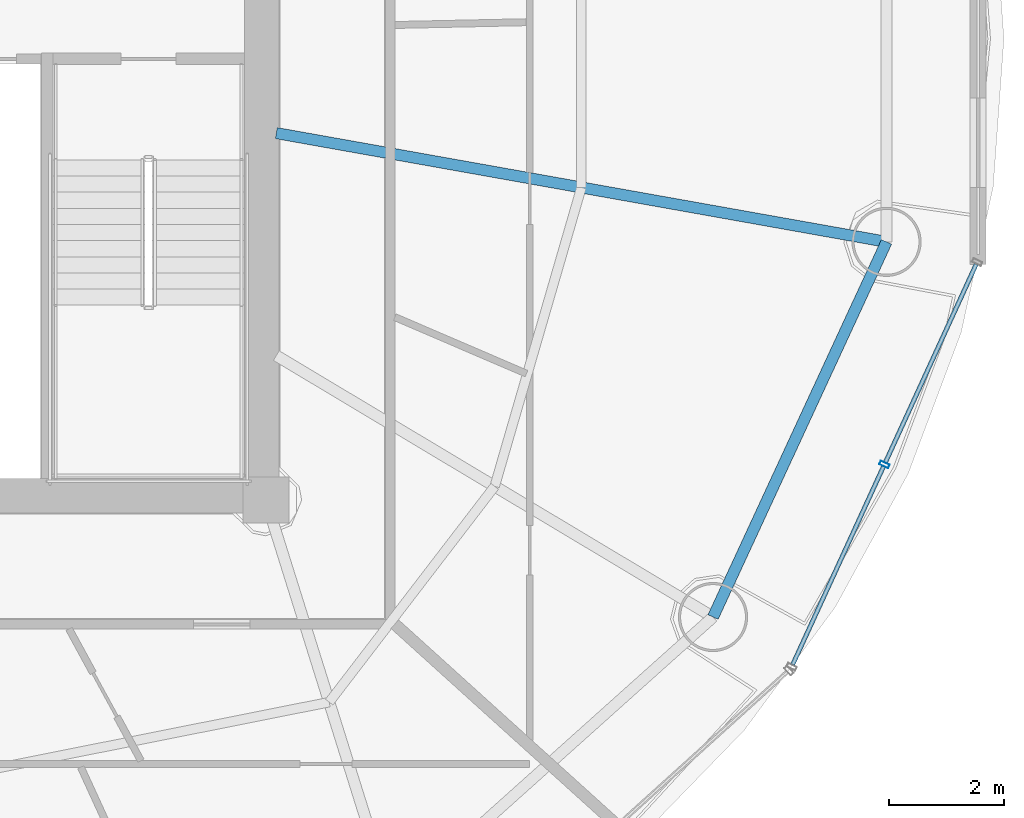
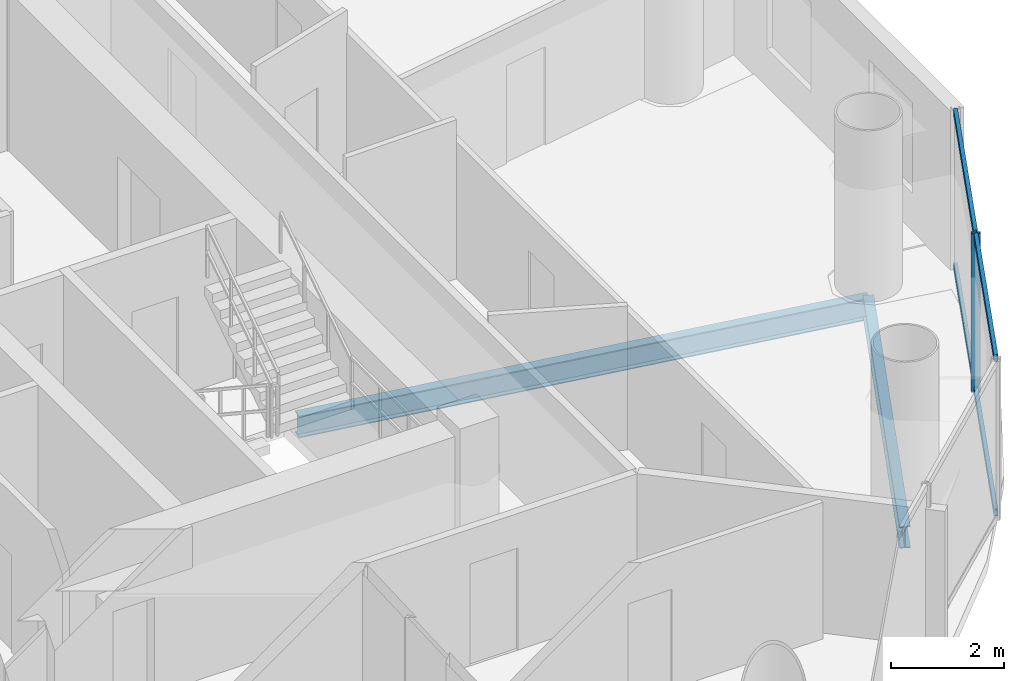
# One storey, part 11 of 26: 5 members, 2 beams, 1 element without a shape of its own.
"""IFC4 building model written with IfcOpenShell, lengths in metres."""

from ifc_helpers import new_model, si_unit, direction, frame, origin, origin_2d, place, context, subcontext, project, spatial, hollow_rectangle, i_section, extrude, source, transform, mapped, material, material_profile, profile_set, type_object, element, aggregate, save


model = new_model("IFC4")

# Units and contexts
model_context = context("Model", 3, precision=1e-05, world=origin(), true_north=direction((-0.2419218956, 0.970295726276)))
body_context = subcontext(model_context, "Body", "Model", "MODEL_VIEW")
ifc_project = project(units=[si_unit("LENGTHUNIT", "METRE"), si_unit("AREAUNIT", "SQUARE_METRE"), si_unit("VOLUMEUNIT", "CUBIC_METRE"), si_unit("PLANEANGLEUNIT", "RADIAN"), si_unit("MASSUNIT", "GRAM", prefix="KILO")], contexts=[model_context])

# Site, building, storey
site_placement = place(None, origin())
site = spatial("IfcSite", under=ifc_project, at=site_placement, CompositionType="ELEMENT")
building_placement = place(site_placement, origin())
building = spatial("IfcBuilding", under=site, at=building_placement, Name="Cobrevalo Terracotta Tower", CompositionType="ELEMENT")
storey_placement = place(building_placement, frame((0.0, 0.0, 202.300048828125)))
storey = spatial("IfcBuildingStorey", under=building, at=storey_placement, Name="L53", CompositionType="ELEMENT", Elevation=202.300048828125)

# Beams
ifc_material_1 = material(Name="Steel S355", Category="steel")
ifc_material_profile_1 = material_profile(ifc_material_1, i_section(OverallWidth=0.194091796875, OverallDepth=0.468994140625, WebThickness=0.011474609375, FlangeThickness=0.0205078125, at=origin_2d()), Name="W 460x106")
ifc_profile_set_1 = profile_set([ifc_material_profile_1], Name="Steel S355")
beam_type_1 = type_object("IfcBeamType", Name="Structural Beam W 460x106 (Steel S355)", PredefinedType="BEAM", material=ifc_profile_set_1)
beam_1_placement = place(storey_placement, frame((57.762939453125, 23.278564453125, -0.49951171875), z_axis=(-0.984493198547, 0.175422752274, 0.0), x_axis=(-0.175422752274, -0.984493198547, 0.0)))
element("IfcBeam", 1, at=beam_1_placement, inside=storey, type_object=beam_type_1, Name="L53 radial floor girder 16", PredefinedType="BEAM", context=body_context, shape_type="SweptSolid", body=[
    extrude(i_section(OverallWidth=0.194091796875, OverallDepth=0.468994140625, WebThickness=0.011474609375, FlangeThickness=0.0205078125, at=origin_2d()), origin(), (0.0, 0.0, 1.0), 10.749755859375),
])
ifc_material_profile_2 = material_profile(ifc_material_1, i_section(OverallWidth=0.194091796875, OverallDepth=0.468994140625, WebThickness=0.011474609375, FlangeThickness=0.0205078125, at=origin_2d()), Name="W 460x106")
ifc_profile_set_2 = profile_set([ifc_material_profile_2], Name="Steel S355")
beam_type_2 = type_object("IfcBeamType", Name="Structural Spandrel W 460x106 (Steel S355)", PredefinedType="SPANDREL", material=ifc_profile_set_2)
beam_2_placement = place(storey_placement, frame((54.754150390625, 16.77197265625, -0.49951171875), z_axis=(0.419718939129, 0.90765412583, 0.0), x_axis=(-0.90765412583, 0.419718939129, 0.0)))
element("IfcBeam", 2, at=beam_2_placement, inside=storey, type_object=beam_type_2, Name="L53 perimeter ring spandrel 15", PredefinedType="SPANDREL", context=body_context, shape_type="SweptSolid", body=[
    extrude(i_section(OverallWidth=0.194091796875, OverallDepth=0.468994140625, WebThickness=0.011474609375, FlangeThickness=0.0205078125, at=origin_2d()), origin(), (0.0, 0.0, 1.0), 7.168701171875),
])

# Curtain wall, members
ifc_material_2 = material(Name="Anodized aluminium", Category="aluminium")
curtain_wall_type = type_object("IfcCurtainWallType", Name="Mid-tower high-wind unitised curtain wall CW-U2", PredefinedType="NOTDEFINED", material=ifc_material_2)
curtain_wall_placement = place(storey_placement, origin())
curtain_wall = element("IfcCurtainWall", 3, at=curtain_wall_placement, inside=storey, type_object=curtain_wall_type, Name="L53 curtain wall CW-L53-S15", PredefinedType="NOTDEFINED")
ifc_material_profile_3 = material_profile(ifc_material_2, hollow_rectangle(XDim=0.074951171875, YDim=0.14990234375, WallThickness=0.00439453125, at=origin_2d()), Name="CWT 75x150")
ifc_profile_set_3 = profile_set([ifc_material_profile_3], Name="Anodized aluminium")
member_type_1 = type_object("IfcMemberType", Name="Tower unitised aluminium transom 75x150", PredefinedType="USERDEFINED", material=ifc_profile_set_3)
shared_shape_1 = source(origin(), body_context, "Body", "SweptSolid", [
    extrude(hollow_rectangle(XDim=0.074951171875, YDim=0.14990234375, WallThickness=0.00439453125, at=origin_2d()), origin(), (0.0, 0.0, 1.0), 3.780029296875),
])
member_1_placement = place(storey_placement, frame((56.134521484375, 15.944580078125, 0.050048828125), z_axis=(0.416705859352, 0.909041377926, 0.0), x_axis=(-0.909041377926, 0.416705859352, 0.0)))
member_1 = element("IfcMember", 4, at=member_1_placement, type_object=member_type_1, Name="CW-L53-S15 transom B01-T1", ObjectType="TRANSOM", PredefinedType="USERDEFINED", context=body_context, shape_type="MappedRepresentation", body=[
    mapped(shared_shape_1, transform((0.0, 0.0, 0.0), scale=1.0)),
])
member_2_placement = place(storey_placement, frame((56.134521484375, 15.944580078125, 3.385009765625), z_axis=(0.416705859352, 0.909041377926, 0.0), x_axis=(-0.909041377926, 0.416705859352, 0.0)))
member_2 = element("IfcMember", 5, at=member_2_placement, type_object=member_type_1, Name="CW-L53-S15 transom B01-T2", ObjectType="TRANSOM", PredefinedType="USERDEFINED", context=body_context, shape_type="MappedRepresentation", body=[
    mapped(shared_shape_1, transform((0.0, 0.0, 0.0), scale=1.0)),
])
member_3_placement = place(storey_placement, frame((57.7431640625, 19.45361328125, 0.050048828125), z_axis=(0.416705859352, 0.909041377926, 0.0), x_axis=(-0.909041377926, 0.416705859352, 0.0)))
member_3 = element("IfcMember", 6, at=member_3_placement, type_object=member_type_1, Name="CW-L53-S15 transom B02-T1", ObjectType="TRANSOM", PredefinedType="USERDEFINED", context=body_context, shape_type="MappedRepresentation", body=[
    mapped(shared_shape_1, transform((0.0, 0.0, 0.0), scale=1.0)),
])
member_4_placement = place(storey_placement, frame((57.7431640625, 19.45361328125, 3.385009765625), z_axis=(0.416705859352, 0.909041377926, 0.0), x_axis=(-0.909041377926, 0.416705859352, 0.0)))
member_4 = element("IfcMember", 7, at=member_4_placement, type_object=member_type_1, Name="CW-L53-S15 transom B02-T2", ObjectType="TRANSOM", PredefinedType="USERDEFINED", context=body_context, shape_type="MappedRepresentation", body=[
    mapped(shared_shape_1, transform((0.0, 0.0, 0.0), scale=1.0)),
])
ifc_material_profile_4 = material_profile(ifc_material_2, hollow_rectangle(XDim=0.070068359375, YDim=0.169921875, WallThickness=0.00439453125, at=origin_2d()), Name="CWM 70x170")
ifc_profile_set_4 = profile_set([ifc_material_profile_4], Name="Anodized aluminium")
member_type_2 = type_object("IfcMemberType", Name="Upper tower unitised mullion 70x170", PredefinedType="MULLION", material=ifc_profile_set_4)
shared_shape_2 = source(origin(), body_context, "Body", "SweptSolid", [
    extrude(hollow_rectangle(XDim=0.070068359375, YDim=0.169921875, WallThickness=0.00439453125, at=origin_2d()), origin(), (0.0, 0.0, 1.0), 3.43505859375),
])
member_5_placement = place(storey_placement, frame((57.726318359375, 19.417236328125, 0.0), z_axis=(0.0, 0.0, 1.0), x_axis=(0.41672507912, 0.909032567311, 0.0)))
member_5 = element("IfcMember", 8, at=member_5_placement, type_object=member_type_2, Name="CW-L53-S15 vertical mullion 02", PredefinedType="MULLION", context=body_context, shape_type="MappedRepresentation", body=[
    mapped(shared_shape_2, transform((0.0, 0.0, 0.0), scale=1.0)),
])
aggregate(curtain_wall, [member_5, member_1, member_2, member_3, member_4])

save(model, "model.ifc")
